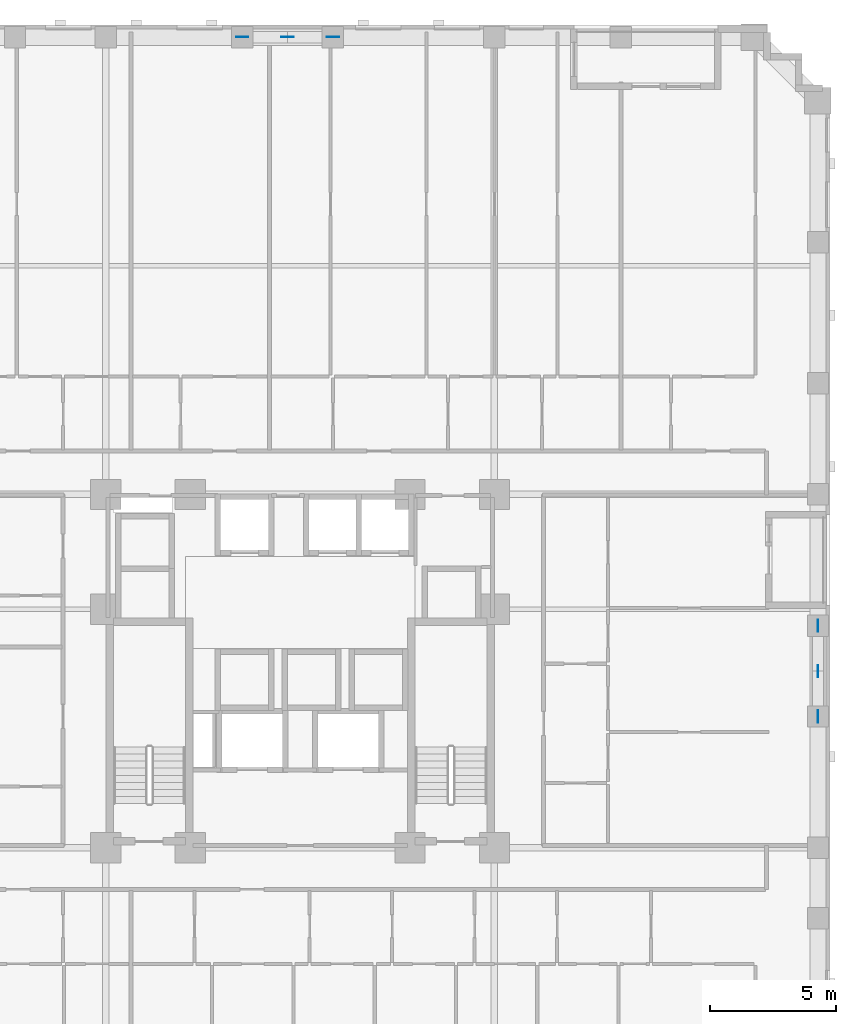
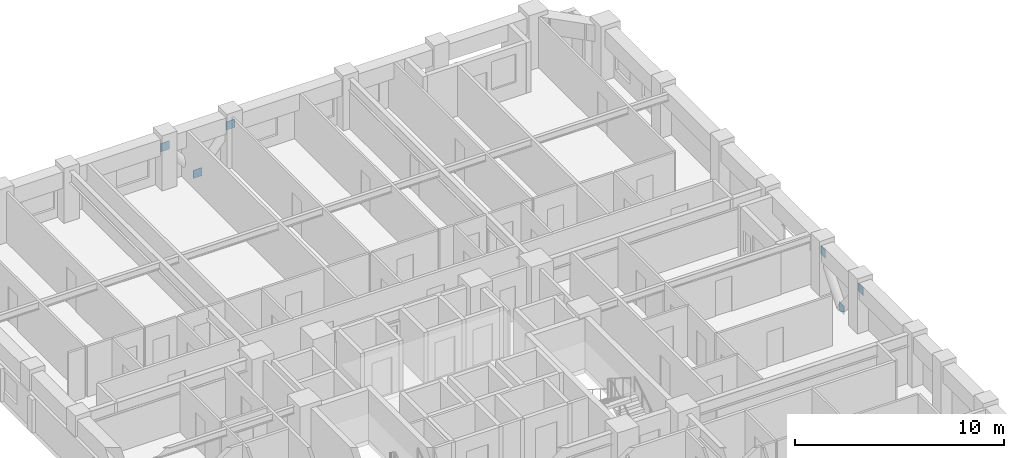
# One storey, part 11 of 14: 6 discrete accessories.
"""IFC4 building model written with IfcOpenShell, lengths in metres."""

from ifc_helpers import new_model, si_unit, derived_unit, direction, frame, origin, origin_2d, place, context, subcontext, project, spatial, rectangle, extrude, material, layer, layer_set, type_object, element, save


model = new_model("IFC4")

# Units and contexts
model_context = context("Model", 3, precision=1e-05, world=origin(), true_north=direction((0.0, 1.0)))
body_context = subcontext(model_context, "Body", "Model", "MODEL_VIEW")
ifc_project = project(units=[si_unit("LENGTHUNIT", "METRE"), si_unit("AREAUNIT", "SQUARE_METRE"), si_unit("VOLUMEUNIT", "CUBIC_METRE"), si_unit("PLANEANGLEUNIT", "RADIAN"), si_unit("MASSUNIT", "GRAM", prefix="KILO"), derived_unit("THERMALTRANSMITTANCEUNIT", [(si_unit("MASSUNIT", "GRAM", prefix="KILO"), 1), (si_unit("TIMEUNIT", "SECOND"), -3), (si_unit("THERMODYNAMICTEMPERATUREUNIT", "KELVIN"), -1)])], contexts=[model_context])

# Site, building, storey
site_placement = place(None, origin())
site = spatial("IfcSite", under=ifc_project, at=site_placement, CompositionType="ELEMENT")
building_placement = place(site_placement, origin())
building = spatial("IfcBuilding", under=site, at=building_placement, Name="Korrvale Station Residences", CompositionType="ELEMENT")
storey_placement = place(building_placement, frame((0.0, 0.0, 64.199951171875)))
storey = spatial("IfcBuildingStorey", under=building, at=storey_placement, Name="L17", CompositionType="ELEMENT", Elevation=64.199951171875)

# Discrete accessories
ifc_material = material(Name="Steel S355", Category="steel")
ifc_layer = layer(ifc_material, 0.02490234375, Name="Steel S355")
ifc_layer_set = layer_set([ifc_layer], Name="Steel S355")
discrete_accessory_type = type_object("IfcDiscreteAccessoryType", Name="ACC-GUSSET-25", PredefinedType="BRACKET", material=ifc_layer_set)
for number, where, z_axis, x_axis, name in (
    (1, (25.0, 47.1201171875, -0.219970703125), (0.0, 0.0, 1.0), (1.0, 0.0, 0.0), "L17 N Brace End Gusset Connection M"),
    (2, (23.199951171875, 47.1201171875, 1.969970703125), (0.0, 0.0, 1.0), (1.0, 0.0, 0.0), "L17 N Brace End Gusset Connection A"),
    (3, (26.800048828125, 47.1201171875, 1.969970703125), (0.0, 0.0, 1.0), (1.0, 0.0, 0.0), "L17 N Brace End Gusset Connection B"),
    (4, (46.02001953125, 22.0, -0.219970703125), (0.0, 0.0, 1.0), (0.0, 1.0, 0.0), "L17 E Brace End Gusset Connection M"),
    (5, (46.02001953125, 20.199951171875, 1.969970703125), (0.0, 0.0, 1.0), (0.0, 1.0, 0.0), "L17 E Brace End Gusset Connection A"),
    (6, (46.02001953125, 23.800048828125, 1.969970703125), (0.0, 0.0, 1.0), (0.0, 1.0, 0.0), "L17 E Brace End Gusset Connection B"),
):
    element("IfcDiscreteAccessory", number, at=place(storey_placement, frame(where, z_axis=z_axis, x_axis=x_axis)), inside=storey, type_object=discrete_accessory_type, Name=name, PredefinedType="BRACKET", context=body_context, shape_type="SweptSolid", body=[
        extrude(rectangle(XDim=0.47998046875, YDim=0.02490234375, at=origin_2d()), origin(), (0.0, 0.0, 1.0), 0.47998046875),
    ])

save(model, "model.ifc")
